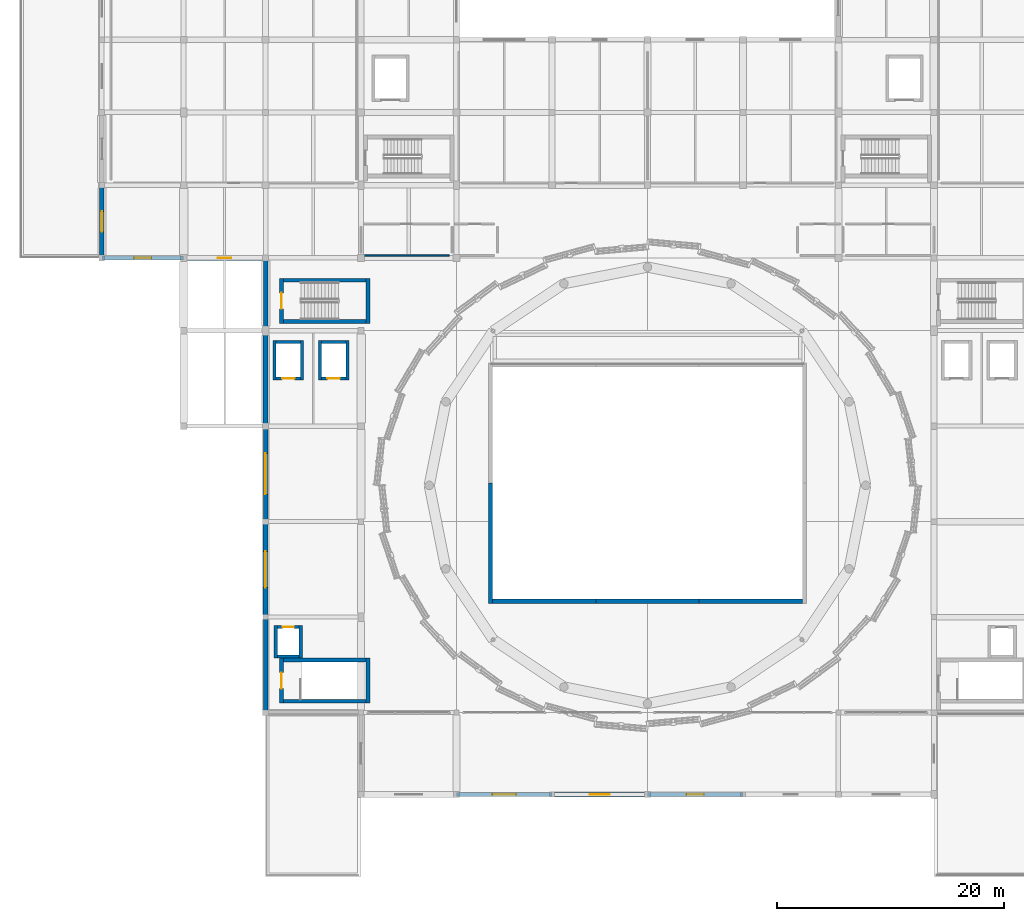
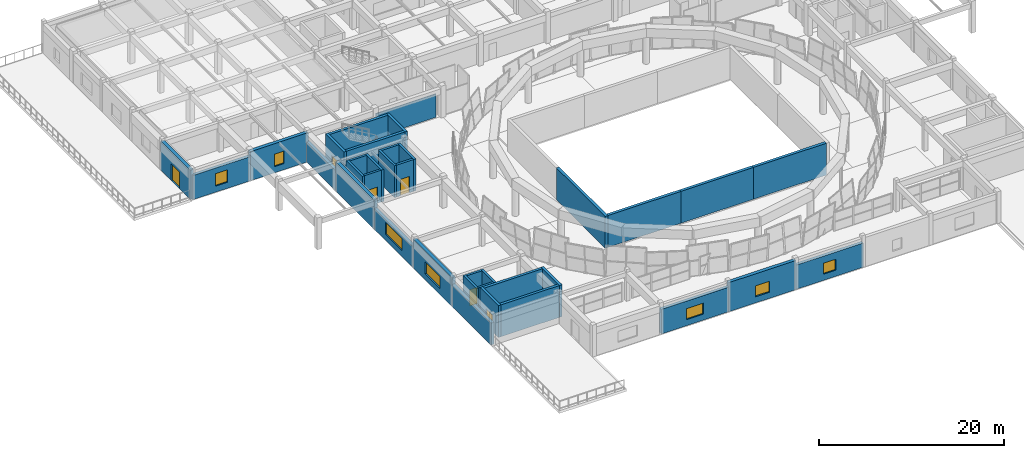
# One storey, part 28 of 40: 36 walls, 7 windows, 6 doors, 13 openings.
"""IFC4 building model written with IfcOpenShell, lengths in metres."""

from ifc_helpers import new_model, si_unit, direction, frame, frame_2d, origin, place, context, subcontext, project, spatial, rectangle, extrude, material, layer, layer_set, type_object, element, fill, save


model = new_model("IFC4")

# Units and contexts
model_context = context("Model", 3, precision=1e-05, world=origin(), true_north=direction((0.0, 1.0)))
body_context = subcontext(model_context, "Body", "Model", "MODEL_VIEW")
ifc_project = project(units=[si_unit("LENGTHUNIT", "METRE"), si_unit("AREAUNIT", "SQUARE_METRE"), si_unit("VOLUMEUNIT", "CUBIC_METRE"), si_unit("PLANEANGLEUNIT", "RADIAN"), si_unit("MASSUNIT", "GRAM", prefix="KILO")], contexts=[model_context])

# Site, building, storey
site_placement = place(None, origin())
site = spatial("IfcSite", under=ifc_project, at=site_placement, CompositionType="ELEMENT")
building_placement = place(site_placement, origin())
building = spatial("IfcBuilding", under=site, at=building_placement, Name="Korsvaeld Concert Hall", CompositionType="ELEMENT")
storey_placement = place(building_placement, frame((0.0, 0.0, 13.199951171875)))
storey = spatial("IfcBuildingStorey", under=building, at=storey_placement, Name="L03", CompositionType="ELEMENT", Elevation=13.199951171875)

# Walls
ifc_material_1 = material(Name="Concrete C40/50", Category="concrete")
ifc_layer_1 = layer(ifc_material_1, 0.340087890625)
ifc_layer_set_1 = layer_set([ifc_layer_1], Name="Concrete C40/50")
wall_type_1 = type_object("IfcWallType", Name="WL-CORE-340", PredefinedType="SHEAR", material=ifc_layer_set_1)
wall_1_placement = place(storey_placement, frame((51.969970703125, 77.60009765625, 0.0), z_axis=(0.0, 0.0, 1.0), x_axis=(1.0, 0.0, 0.0)))
element("IfcWall", 1, at=wall_1_placement, inside=storey, type_object=wall_type_1, Name="Core K1 shear wall L03 S", PredefinedType="SHEAR", context=body_context, shape_type="SweptSolid", body=[
    extrude(rectangle(XDim=7.260009765625, YDim=0.340087890625, at=frame_2d((3.6298828125, 0.0))), origin(), (0.0, 0.0, 1.0), 4.199951171875),
])
wall_2_placement = place(storey_placement, frame((59.39990234375, 77.429931640625, 0.0), z_axis=(0.0, 0.0, 1.0), x_axis=(0.0, 1.0, 0.0)))
element("IfcWall", 2, at=wall_2_placement, inside=storey, type_object=wall_type_1, Name="Core K1 shear wall L03 E", PredefinedType="SHEAR", context=body_context, shape_type="SweptSolid", body=[
    extrude(rectangle(XDim=3.97998046875, YDim=0.340087890625, at=frame_2d((1.989990234375, 0.0))), origin(), (0.0, 0.0, 1.0), 4.199951171875),
])
wall_3_placement = place(storey_placement, frame((59.22998046875, 81.239990234375, 0.0), z_axis=(0.0, 0.0, 1.0), x_axis=(-1.0, 0.0, 0.0)))
element("IfcWall", 3, at=wall_3_placement, inside=storey, type_object=wall_type_1, Name="Core K1 shear wall L03 N", PredefinedType="SHEAR", context=body_context, shape_type="SweptSolid", body=[
    extrude(rectangle(XDim=7.260009765625, YDim=0.340087890625, at=frame_2d((3.6298828125, 0.0))), origin(), (0.0, 0.0, 1.0), 4.199951171875),
])

# Wall, opening, door
wall_4_placement = place(storey_placement, frame((51.800048828125, 81.409912109375, 0.0), z_axis=(0.0, 0.0, 1.0), x_axis=(0.0, -1.0, 0.0)))
wall_4 = element("IfcWall", 4, at=wall_4_placement, inside=storey, type_object=wall_type_1, Name="Core K1 shear wall L03 W", PredefinedType="SHEAR", context=body_context, shape_type="SweptSolid", body=[
    extrude(rectangle(XDim=3.97998046875, YDim=0.340087890625, at=frame_2d((1.989990234375, 0.0))), origin(), (0.0, 0.0, 1.0), 4.199951171875),
])
opening_1_placement = place(wall_4_placement, frame((1.2900390625, 0.0, 0.0)))
opening_1 = element("IfcOpeningElement", 5, at=opening_1_placement, cuts=wall_4, Name="Opening FD-02", PredefinedType="OPENING", context=body_context, shape_type="SweptSolid", body=[
    extrude(rectangle(XDim=1.39990234375, YDim=2.14990234375, at=frame_2d((0.699951171875, 1.074951171875))), frame((0.0, 0.18017578125, 0.0), z_axis=(0.0, -1.0, 0.0), x_axis=(1.0, 0.0, 0.0)), (0.0, 0.0, 1.0), 0.360107421875),
])
ifc_material_2 = material(Name="Acoustic steel and oak fire door", Category="steel")
door_type_1 = type_object("IfcDoorType", Name="DR-FD-STAIR-140x215", OperationType="NOTDEFINED", PredefinedType="DOOR", material=ifc_material_2)
door_1_placement = place(opening_1_placement, origin())
door_1 = element("IfcDoor", 6, at=door_1_placement, inside=storey, type_object=door_type_1, Name="Escape stair ST-K1 fire door L03", OperationType="SINGLE_SWING_LEFT", OverallHeight=2.14990234375, OverallWidth=1.39990234375, PredefinedType="DOOR", context=body_context, shape_type="SweptSolid", body=[
    extrude(rectangle(XDim=1.39990234375, YDim=2.14990234375, at=frame_2d((0.699951171875, 1.074951171875))), frame((0.0, 0.02490234375, 0.0), z_axis=(0.0, -1.0, 0.0), x_axis=(1.0, 0.0, 0.0)), (0.0, 0.0, 1.0), 0.050048828125),
])
fill(opening_1, door_1)

# Walls
wall_5_placement = place(storey_placement, frame((51.969970703125, 44.199951171875, 0.0), z_axis=(0.0, 0.0, 1.0), x_axis=(1.0, 0.0, 0.0)))
element("IfcWall", 7, at=wall_5_placement, inside=storey, type_object=wall_type_1, Name="Core K3 shear wall L03 S", PredefinedType="SHEAR", context=body_context, shape_type="SweptSolid", body=[
    extrude(rectangle(XDim=7.260009765625, YDim=0.340087890625, at=frame_2d((3.6298828125, 0.0))), origin(), (0.0, 0.0, 1.0), 4.199951171875),
])
wall_6_placement = place(storey_placement, frame((59.39990234375, 44.030029296875, 0.0), z_axis=(0.0, 0.0, 1.0), x_axis=(0.0, 1.0, 0.0)))
element("IfcWall", 8, at=wall_6_placement, inside=storey, type_object=wall_type_1, Name="Core K3 shear wall L03 E", PredefinedType="SHEAR", context=body_context, shape_type="SweptSolid", body=[
    extrude(rectangle(XDim=3.97998046875, YDim=0.340087890625, at=frame_2d((1.989990234375, 0.0))), origin(), (0.0, 0.0, 1.0), 4.199951171875),
])
wall_7_placement = place(storey_placement, frame((59.22998046875, 47.840087890625, 0.0), z_axis=(0.0, 0.0, 1.0), x_axis=(-1.0, 0.0, 0.0)))
element("IfcWall", 9, at=wall_7_placement, inside=storey, type_object=wall_type_1, Name="Core K3 shear wall L03 N", PredefinedType="SHEAR", context=body_context, shape_type="SweptSolid", body=[
    extrude(rectangle(XDim=7.260009765625, YDim=0.340087890625, at=frame_2d((3.6298828125, 0.0))), origin(), (0.0, 0.0, 1.0), 4.199951171875),
])

# Wall, opening, door
wall_8_placement = place(storey_placement, frame((51.800048828125, 48.010009765625, 0.0), z_axis=(0.0, 0.0, 1.0), x_axis=(0.0, -1.0, 0.0)))
wall_8 = element("IfcWall", 10, at=wall_8_placement, inside=storey, type_object=wall_type_1, Name="Core K3 shear wall L03 W", PredefinedType="SHEAR", context=body_context, shape_type="SweptSolid", body=[
    extrude(rectangle(XDim=3.97998046875, YDim=0.340087890625, at=frame_2d((1.989990234375, 0.0))), origin(), (0.0, 0.0, 1.0), 4.199951171875),
])
opening_2_placement = place(wall_8_placement, frame((1.2900390625, 0.0, 0.0)))
opening_2 = element("IfcOpeningElement", 11, at=opening_2_placement, cuts=wall_8, Name="Opening FD-02", PredefinedType="OPENING", context=body_context, shape_type="SweptSolid", body=[
    extrude(rectangle(XDim=1.39990234375, YDim=2.14990234375, at=frame_2d((0.699951171875, 1.074951171875))), frame((0.0, 0.18017578125, 0.0), z_axis=(0.0, -1.0, 0.0), x_axis=(1.0, 0.0, 0.0)), (0.0, 0.0, 1.0), 0.360107421875),
])
door_2_placement = place(opening_2_placement, origin())
door_2 = element("IfcDoor", 12, at=door_2_placement, inside=storey, type_object=door_type_1, Name="Escape stair ST-K3 fire door L03", OperationType="SINGLE_SWING_LEFT", OverallHeight=2.14990234375, OverallWidth=1.39990234375, PredefinedType="DOOR", context=body_context, shape_type="SweptSolid", body=[
    extrude(rectangle(XDim=1.39990234375, YDim=2.14990234375, at=frame_2d((0.699951171875, 1.074951171875))), frame((0.0, 0.02490234375, 0.0), z_axis=(0.0, -1.0, 0.0), x_axis=(1.0, 0.0, 0.0)), (0.0, 0.0, 1.0), 0.050048828125),
])
fill(opening_2, door_2)

# Wall
ifc_material_3 = material(Name="Obernkirchener buff sandstone rainscreen on Concrete C35/45", Category="masonry")
ifc_layer_2 = layer(ifc_material_3, 0.389892578125)
ifc_layer_set_2 = layer_set([ifc_layer_2], Name="Obernkirchener buff sandstone rainscreen on Concrete C35/45")
wall_type_2 = type_object("IfcWallType", Name="WL-EXT-BUFF-390", PredefinedType="STANDARD", material=ifc_layer_set_2)
wall_9_placement = place(storey_placement, frame((50.39990234375, 43.199951171875, 0.0), z_axis=(0.0, 0.0, 1.0), x_axis=(0.0, 1.0, 0.0)))
element("IfcWall", 13, at=wall_9_placement, inside=storey, type_object=wall_type_2, Name="Exterior sandstone wall L03-285", PredefinedType="STANDARD", context=body_context, shape_type="SweptSolid", body=[
    extrude(rectangle(XDim=8.400146484375, YDim=0.389892578125, at=frame_2d((4.2001953125, 0.0))), origin(), (0.0, 0.0, 1.0), 2.89013671875),
])

# Wall, opening, window
wall_10_placement = place(storey_placement, frame((50.39990234375, 60.0, 0.0), z_axis=(0.0, 0.0, 1.0), x_axis=(0.0, 1.0, 0.0)))
wall_10 = element("IfcWall", 14, at=wall_10_placement, inside=storey, type_object=wall_type_2, Name="Exterior sandstone wall L03-287", PredefinedType="STANDARD", context=body_context, shape_type="SweptSolid", body=[
    extrude(rectangle(XDim=8.39990234375, YDim=0.389892578125, at=frame_2d((4.199951171875, 0.0))), origin(), (0.0, 0.0, 1.0), 2.739990234375),
])
opening_3_placement = place(wall_10_placement, frame((2.39990234375, 0.0, 0.800048828125)))
opening_3 = element("IfcOpeningElement", 15, at=opening_3_placement, cuts=wall_10, Name="Opening WN-16", PredefinedType="OPENING", context=body_context, shape_type="SweptSolid", body=[
    extrude(rectangle(XDim=3.60009765625, YDim=1.60009765625, at=frame_2d((1.800048828125, 0.800048828125))), frame((0.0, 0.205078125, 0.0), z_axis=(0.0, -1.0, 0.0), x_axis=(1.0, 0.0, 0.0)), (0.0, 0.0, 1.0), 0.409912109375),
])
ifc_material_4 = material(Name="Anodised bronze frame with acoustic triple glazing", Category="glass")
window_type_1 = type_object("IfcWindowType", Name="WIN-AC-360x160", PartitioningType="TRIPLE_PANEL_VERTICAL", PredefinedType="WINDOW", material=ifc_material_4)
window_1_placement = place(opening_3_placement, origin())
window_1 = element("IfcWindow", 16, at=window_1_placement, inside=storey, type_object=window_type_1, Name="Acoustic triple-glazed window L03-185", OverallHeight=1.60009765625, OverallWidth=3.60009765625, PartitioningType="TRIPLE_PANEL_VERTICAL", PredefinedType="WINDOW", context=body_context, shape_type="SweptSolid", body=[
    extrude(rectangle(XDim=3.60009765625, YDim=1.60009765625, at=frame_2d((1.800048828125, 0.800048828125))), frame((0.0, 0.030029296875, 0.0), z_axis=(0.0, -1.0, 0.0), x_axis=(1.0, 0.0, 0.0)), (0.0, 0.0, 1.0), 0.06005859375),
])
fill(opening_3, window_1)

# Wall
wall_11_placement = place(storey_placement, frame((50.39990234375, 76.800048828125, 0.0), z_axis=(0.0, 0.0, 1.0), x_axis=(0.0, 1.0, 0.0)))
element("IfcWall", 17, at=wall_11_placement, inside=storey, type_object=wall_type_2, Name="Exterior sandstone wall L03-289", PredefinedType="STANDARD", context=body_context, shape_type="SweptSolid", body=[
    extrude(rectangle(XDim=6.39990234375, YDim=0.389892578125, at=frame_2d((3.199951171875, 0.0))), origin(), (0.0, 0.0, 1.0), 2.64013671875),
])

# Wall, opening, window
wall_12_placement = place(storey_placement, frame((43.199951171875, 83.199951171875, 0.0), z_axis=(0.0, 0.0, 1.0), x_axis=(-1.0, 0.0, 0.0)))
wall_12 = element("IfcWall", 18, at=wall_12_placement, inside=storey, type_object=wall_type_2, Name="Exterior sandstone wall L03-291", PredefinedType="STANDARD", context=body_context, shape_type="SweptSolid", body=[
    extrude(rectangle(XDim=7.199951171875, YDim=0.389892578125, at=frame_2d((3.60009765625, 0.0))), origin(), (0.0, 0.0, 1.0), 3.18994140625),
])
opening_4_placement = place(wall_12_placement, frame((2.85009765625, 0.0, 0.800048828125)))
opening_4 = element("IfcOpeningElement", 19, at=opening_4_placement, cuts=wall_12, Name="Opening WN-02", PredefinedType="OPENING", context=body_context, shape_type="SweptSolid", body=[
    extrude(rectangle(XDim=1.5, YDim=1.64990234375, at=frame_2d((0.75, 0.824951171875))), frame((0.0, 0.205078125, 0.0), z_axis=(0.0, -1.0, 0.0), x_axis=(1.0, 0.0, 0.0)), (0.0, 0.0, 1.0), 0.409912109375),
])
window_type_2 = type_object("IfcWindowType", Name="WIN-AC-150x165", PartitioningType="SINGLE_PANEL", PredefinedType="WINDOW", material=ifc_material_4)
window_2_placement = place(opening_4_placement, origin())
window_2 = element("IfcWindow", 20, at=window_2_placement, inside=storey, type_object=window_type_2, Name="Acoustic triple-glazed window L03-187", OverallHeight=1.64990234375, OverallWidth=1.5, PartitioningType="SINGLE_PANEL", PredefinedType="WINDOW", context=body_context, shape_type="SweptSolid", body=[
    extrude(rectangle(XDim=1.5, YDim=1.64990234375, at=frame_2d((0.75, 0.824951171875))), frame((0.0, 0.030029296875, 0.0), z_axis=(0.0, -1.0, 0.0), x_axis=(1.0, 0.0, 0.0)), (0.0, 0.0, 1.0), 0.06005859375),
])
fill(opening_4, window_2)

wall_13_placement = place(storey_placement, frame((92.39990234375, 36.0, 0.0), z_axis=(0.0, 0.0, 1.0), x_axis=(-1.0, 0.0, 0.0)))
wall_13 = element("IfcWall", 21, at=wall_13_placement, inside=storey, type_object=wall_type_2, Name="Exterior sandstone wall L03-329", PredefinedType="STANDARD", context=body_context, shape_type="SweptSolid", body=[
    extrude(rectangle(XDim=8.39990234375, YDim=0.389892578125, at=frame_2d((4.199951171875, 0.0))), origin(), (0.0, 0.0, 1.0), 3.18994140625),
])
opening_5_placement = place(wall_13_placement, frame((3.449951171875, 0.0, 0.800048828125)))
opening_5 = element("IfcOpeningElement", 22, at=opening_5_placement, cuts=wall_13, Name="Opening WN-07", PredefinedType="OPENING", context=body_context, shape_type="SweptSolid", body=[
    extrude(rectangle(XDim=1.5, YDim=1.449951171875, at=frame_2d((0.75, 0.72509765625))), frame((0.0, 0.205078125, 0.0), z_axis=(0.0, -1.0, 0.0), x_axis=(1.0, 0.0, 0.0)), (0.0, 0.0, 1.0), 0.409912109375),
])
window_type_3 = type_object("IfcWindowType", Name="WIN-AC-150x145", PartitioningType="SINGLE_PANEL", PredefinedType="WINDOW", material=ifc_material_4)
window_3_placement = place(opening_5_placement, origin())
window_3 = element("IfcWindow", 23, at=window_3_placement, inside=storey, type_object=window_type_3, Name="Acoustic triple-glazed window L03-218", OverallHeight=1.449951171875, OverallWidth=1.5, PartitioningType="SINGLE_PANEL", PredefinedType="WINDOW", context=body_context, shape_type="SweptSolid", body=[
    extrude(rectangle(XDim=1.5, YDim=1.449951171875, at=frame_2d((0.75, 0.72509765625))), frame((0.0, 0.030029296875, 0.0), z_axis=(0.0, -1.0, 0.0), x_axis=(1.0, 0.0, 0.0)), (0.0, 0.0, 1.0), 0.06005859375),
])
fill(opening_5, window_3)

wall_14_placement = place(storey_placement, frame((75.60009765625, 36.0, 0.0), z_axis=(0.0, 0.0, 1.0), x_axis=(-1.0, 0.0, 0.0)))
wall_14 = element("IfcWall", 24, at=wall_14_placement, inside=storey, type_object=wall_type_2, Name="Exterior sandstone wall L03-331", PredefinedType="STANDARD", context=body_context, shape_type="SweptSolid", body=[
    extrude(rectangle(XDim=8.400146484375, YDim=0.389892578125, at=frame_2d((4.2001953125, 0.0))), origin(), (0.0, 0.0, 1.0), 3.239990234375),
])
opening_6_placement = place(wall_14_placement, frame((3.14990234375, 0.0, 0.800048828125)))
opening_6 = element("IfcOpeningElement", 25, at=opening_6_placement, cuts=wall_14, Name="Opening WN-09", PredefinedType="OPENING", context=body_context, shape_type="SweptSolid", body=[
    extrude(rectangle(XDim=2.10009765625, YDim=1.449951171875, at=frame_2d((1.050048828125, 0.72509765625))), frame((0.0, 0.205078125, 0.0), z_axis=(0.0, -1.0, 0.0), x_axis=(1.0, 0.0, 0.0)), (0.0, 0.0, 1.0), 0.409912109375),
])
window_type_4 = type_object("IfcWindowType", Name="WIN-AC-210x145", PartitioningType="SINGLE_PANEL", PredefinedType="WINDOW", material=ifc_material_4)
window_4_placement = place(opening_6_placement, origin())
window_4 = element("IfcWindow", 26, at=window_4_placement, inside=storey, type_object=window_type_4, Name="Acoustic triple-glazed window L03-220", OverallHeight=1.449951171875, OverallWidth=2.10009765625, PartitioningType="SINGLE_PANEL", PredefinedType="WINDOW", context=body_context, shape_type="SweptSolid", body=[
    extrude(rectangle(XDim=2.10009765625, YDim=1.449951171875, at=frame_2d((1.050048828125, 0.72509765625))), frame((0.0, 0.030029296875, 0.0), z_axis=(0.0, -1.0, 0.0), x_axis=(1.0, 0.0, 0.0)), (0.0, 0.0, 1.0), 0.06005859375),
])
fill(opening_6, window_4)

ifc_material_5 = material(Name="Bornholm Nexo rose-red sandstone rainscreen on Concrete C35/45", Category="masonry")
ifc_layer_3 = layer(ifc_material_5, 0.419921875)
ifc_layer_set_3 = layer_set([ifc_layer_3], Name="Bornholm Nexo rose-red sandstone rainscreen on Concrete C35/45")
wall_type_3 = type_object("IfcWallType", Name="WL-EXT-NEXO-420", PredefinedType="STANDARD", material=ifc_layer_set_3)
wall_15_placement = place(storey_placement, frame((50.39990234375, 51.60009765625, 0.0), z_axis=(0.0, 0.0, 1.0), x_axis=(0.0, 1.0, 0.0)))
wall_15 = element("IfcWall", 27, at=wall_15_placement, inside=storey, type_object=wall_type_3, Name="Exterior sandstone wall L03-286", PredefinedType="STANDARD", context=body_context, shape_type="SweptSolid", body=[
    extrude(rectangle(XDim=8.39990234375, YDim=0.419921875, at=frame_2d((4.199951171875, 0.0))), origin(), (0.0, 0.0, 1.0), 3.840087890625),
])
opening_7_placement = place(wall_15_placement, frame((2.60009765625, 0.0, 0.800048828125)))
opening_7 = element("IfcOpeningElement", 28, at=opening_7_placement, cuts=wall_15, Name="Opening WN-15", PredefinedType="OPENING", context=body_context, shape_type="SweptSolid", body=[
    extrude(rectangle(XDim=3.199951171875, YDim=1.60009765625, at=frame_2d((1.60009765625, 0.800048828125))), frame((0.0, 0.219970703125, 0.0), z_axis=(0.0, -1.0, 0.0), x_axis=(1.0, 0.0, 0.0)), (0.0, 0.0, 1.0), 0.43994140625),
])
window_type_5 = type_object("IfcWindowType", Name="WIN-AC-320x160", PartitioningType="TRIPLE_PANEL_VERTICAL", PredefinedType="WINDOW", material=ifc_material_4)
window_5_placement = place(opening_7_placement, origin())
window_5 = element("IfcWindow", 29, at=window_5_placement, inside=storey, type_object=window_type_5, Name="Acoustic triple-glazed window L03-184", OverallHeight=1.60009765625, OverallWidth=3.199951171875, PartitioningType="TRIPLE_PANEL_VERTICAL", PredefinedType="WINDOW", context=body_context, shape_type="SweptSolid", body=[
    extrude(rectangle(XDim=3.199951171875, YDim=1.60009765625, at=frame_2d((1.60009765625, 0.800048828125))), frame((0.0, 0.030029296875, 0.0), z_axis=(0.0, -1.0, 0.0), x_axis=(1.0, 0.0, 0.0)), (0.0, 0.0, 1.0), 0.06005859375),
])
fill(opening_7, window_5)

# Wall
wall_16_placement = place(storey_placement, frame((50.39990234375, 68.39990234375, 0.0), z_axis=(0.0, 0.0, 1.0), x_axis=(0.0, 1.0, 0.0)))
element("IfcWall", 30, at=wall_16_placement, inside=storey, type_object=wall_type_3, Name="Exterior sandstone wall L03-288", PredefinedType="STANDARD", context=body_context, shape_type="SweptSolid", body=[
    extrude(rectangle(XDim=8.400146484375, YDim=0.419921875, at=frame_2d((4.2001953125, 0.0))), origin(), (0.0, 0.0, 1.0), 3.840087890625),
])

# Wall, opening, window
wall_17_placement = place(storey_placement, frame((50.39990234375, 83.199951171875, 0.0), z_axis=(0.0, 0.0, 1.0), x_axis=(-1.0, 0.0, 0.0)))
wall_17 = element("IfcWall", 31, at=wall_17_placement, inside=storey, type_object=wall_type_3, Name="Exterior sandstone wall L03-290", PredefinedType="STANDARD", context=body_context, shape_type="SweptSolid", body=[
    extrude(rectangle(XDim=7.199951171875, YDim=0.419921875, at=frame_2d((3.60009765625, 0.0))), origin(), (0.0, 0.0, 1.0), 3.840087890625),
])
opening_8_placement = place(wall_17_placement, frame((3.0, 0.0, 0.800048828125)))
opening_8 = element("IfcOpeningElement", 32, at=opening_8_placement, cuts=wall_17, Name="Opening WN-01", PredefinedType="OPENING", context=body_context, shape_type="SweptSolid", body=[
    extrude(rectangle(XDim=1.199951171875, YDim=1.64990234375, at=frame_2d((0.60009765625, 0.824951171875))), frame((0.0, 0.219970703125, 0.0), z_axis=(0.0, -1.0, 0.0), x_axis=(1.0, 0.0, 0.0)), (0.0, 0.0, 1.0), 0.43994140625),
])
window_type_6 = type_object("IfcWindowType", Name="WIN-AC-120x165", PartitioningType="SINGLE_PANEL", PredefinedType="WINDOW", material=ifc_material_4)
window_6_placement = place(opening_8_placement, origin())
window_6 = element("IfcWindow", 33, at=window_6_placement, inside=storey, type_object=window_type_6, Name="Acoustic triple-glazed window L03-186", OverallHeight=1.64990234375, OverallWidth=1.199951171875, PartitioningType="SINGLE_PANEL", PredefinedType="WINDOW", context=body_context, shape_type="SweptSolid", body=[
    extrude(rectangle(XDim=1.199951171875, YDim=1.64990234375, at=frame_2d((0.60009765625, 0.824951171875))), frame((0.0, 0.030029296875, 0.0), z_axis=(0.0, -1.0, 0.0), x_axis=(1.0, 0.0, 0.0)), (0.0, 0.0, 1.0), 0.06005859375),
])
fill(opening_8, window_6)

# Wall, opening, door
wall_18_placement = place(storey_placement, frame((36.0, 83.199951171875, 0.0), z_axis=(0.0, 0.0, 1.0), x_axis=(0.0, 1.0, 0.0)))
wall_18 = element("IfcWall", 34, at=wall_18_placement, inside=storey, type_object=wall_type_3, Name="Exterior sandstone wall L03-292", PredefinedType="STANDARD", context=body_context, shape_type="SweptSolid", body=[
    extrude(rectangle(XDim=6.400146484375, YDim=0.419921875, at=frame_2d((3.2001953125, 0.0))), origin(), (0.0, 0.0, 1.0), 3.840087890625),
])
opening_9_placement = place(wall_18_placement, frame((2.300048828125, 0.0, 0.0)))
opening_9 = element("IfcOpeningElement", 35, at=opening_9_placement, cuts=wall_18, Name="Opening TD-01", PredefinedType="OPENING", context=body_context, shape_type="SweptSolid", body=[
    extrude(rectangle(XDim=1.800048828125, YDim=2.199951171875, at=frame_2d((0.89990234375, 1.10009765625))), frame((0.0, 0.219970703125, 0.0), z_axis=(0.0, -1.0, 0.0), x_axis=(1.0, 0.0, 0.0)), (0.0, 0.0, 1.0), 0.43994140625),
])
ifc_material_6 = material(Name="Anodised bronze terrace door")
door_type_2 = type_object("IfcDoorType", Name="DR-TER-180x220", OperationType="DOUBLE_DOOR_SINGLE_SWING", PredefinedType="DOOR", material=ifc_material_6)
door_3_placement = place(opening_9_placement, frame((1.800048828125, 0.0, 0.0), z_axis=(0.0, 0.0, 1.0), x_axis=(-1.0, 0.0, 0.0)))
door_3 = element("IfcDoor", 36, at=door_3_placement, inside=storey, type_object=door_type_2, Name="Roof-garden terrace access door TER_L03_NW", OperationType="DOUBLE_DOOR_SINGLE_SWING", OverallHeight=2.199951171875, OverallWidth=1.800048828125, PredefinedType="DOOR", context=body_context, shape_type="SweptSolid", body=[
    extrude(rectangle(XDim=1.800048828125, YDim=2.199951171875, at=frame_2d((0.89990234375, 1.10009765625))), frame((0.0, 0.02490234375, 0.0), z_axis=(0.0, -1.0, 0.0), x_axis=(1.0, 0.0, 0.0)), (0.0, 0.0, 1.0), 0.050048828125),
])
fill(opening_9, door_3)

# Wall, opening, window
wall_19_placement = place(storey_placement, frame((84.0, 36.0, 0.0), z_axis=(0.0, 0.0, 1.0), x_axis=(-1.0, 0.0, 0.0)))
wall_19 = element("IfcWall", 37, at=wall_19_placement, inside=storey, type_object=wall_type_3, Name="Exterior sandstone wall L03-330", PredefinedType="STANDARD", context=body_context, shape_type="SweptSolid", body=[
    extrude(rectangle(XDim=8.39990234375, YDim=0.419921875, at=frame_2d((4.199951171875, 0.0))), origin(), (0.0, 0.0, 1.0), 3.840087890625),
])
opening_10_placement = place(wall_19_placement, frame((3.300048828125, 0.0, 0.800048828125)))
opening_10 = element("IfcOpeningElement", 38, at=opening_10_placement, cuts=wall_19, Name="Opening WN-08", PredefinedType="OPENING", context=body_context, shape_type="SweptSolid", body=[
    extrude(rectangle(XDim=1.800048828125, YDim=1.449951171875, at=frame_2d((0.89990234375, 0.72509765625))), frame((0.0, 0.219970703125, 0.0), z_axis=(0.0, -1.0, 0.0), x_axis=(1.0, 0.0, 0.0)), (0.0, 0.0, 1.0), 0.43994140625),
])
window_type_7 = type_object("IfcWindowType", Name="WIN-AC-180x145", PartitioningType="SINGLE_PANEL", PredefinedType="WINDOW", material=ifc_material_4)
window_7_placement = place(opening_10_placement, origin())
window_7 = element("IfcWindow", 39, at=window_7_placement, inside=storey, type_object=window_type_7, Name="Acoustic triple-glazed window L03-219", OverallHeight=1.449951171875, OverallWidth=1.800048828125, PartitioningType="SINGLE_PANEL", PredefinedType="WINDOW", context=body_context, shape_type="SweptSolid", body=[
    extrude(rectangle(XDim=1.800048828125, YDim=1.449951171875, at=frame_2d((0.89990234375, 0.72509765625))), frame((0.0, 0.030029296875, 0.0), z_axis=(0.0, -1.0, 0.0), x_axis=(1.0, 0.0, 0.0)), (0.0, 0.0, 1.0), 0.06005859375),
])
fill(opening_10, window_7)

# Walls
ifc_material_7 = material(Name="Bornholm Nexo crimson sandstone on Concrete C40/50", Category="masonry")
ifc_layer_4 = layer(ifc_material_7, 0.360107421875)
ifc_layer_set_4 = layer_set([ifc_layer_4], Name="Bornholm Nexo crimson sandstone on Concrete C40/50")
wall_type_4 = type_object("IfcWallType", Name="WL-HALL-360", PredefinedType="SHEAR", material=ifc_layer_set_4)
for number, where, z_axis, x_axis, name in (
    (40, (70.3798828125, 53.0, 0.0), (0.0, 0.0, 1.0), (1.0, 0.0, 0.0), "Acoustic hall box wall V1H L03 S.1"),
    (41, (79.4599609375, 53.0, 0.0), (0.0, 0.0, 1.0), (1.0, 0.0, 0.0), "Acoustic hall box wall V1H L03 S.2"),
    (42, (88.5400390625, 53.0, 0.0), (0.0, 0.0, 1.0), (1.0, 0.0, 0.0), "Acoustic hall box wall V1H L03 S.3"),
):
    element("IfcWall", number, at=place(storey_placement, frame(where, z_axis=z_axis, x_axis=x_axis)), inside=storey, type_object=wall_type_4, Name=name, PredefinedType="SHEAR", context=body_context, shape_type="SweptSolid", body=[
        extrude(rectangle(XDim=9.080078125, YDim=0.360107421875, at=frame_2d((4.5400390625, 0.0))), origin(), (0.0, 0.0, 1.0), 4.199951171875),
    ])
wall_20_placement = place(storey_placement, frame((70.199951171875, 63.39990234375, 0.0), z_axis=(0.0, 0.0, 1.0), x_axis=(0.0, -1.0, 0.0)))
element("IfcWall", 43, at=wall_20_placement, inside=storey, type_object=wall_type_4, Name="Acoustic hall box wall V1H L03 W.2", PredefinedType="SHEAR", context=body_context, shape_type="SweptSolid", body=[
    extrude(rectangle(XDim=10.579833984375, YDim=0.360107421875, at=frame_2d((5.2900390625, 0.0))), origin(), (0.0, 0.0, 1.0), 4.199951171875),
])
ifc_material_8 = material(Name="Insulated acoustic gypsum partition")
ifc_layer_5 = layer(ifc_material_8, 0.125)
ifc_layer_set_5 = layer_set([ifc_layer_5], Name="Insulated acoustic gypsum partition")
wall_type_5 = type_object("IfcWallType", Name="WL-PART-125", PredefinedType="PARTITIONING", material=ifc_layer_set_5)
wall_21_placement = place(storey_placement, frame((59.06005859375, 83.39990234375, 0.0), z_axis=(0.0, 0.0, 1.0), x_axis=(1.0, 0.0, 0.0)))
element("IfcWall", 44, at=wall_21_placement, inside=storey, type_object=wall_type_5, Name="Interior partition L03-13 S", PredefinedType="PARTITIONING", context=body_context, shape_type="SweptSolid", body=[
    extrude(rectangle(XDim=7.47998046875, YDim=0.125, at=frame_2d((3.739990234375, 0.0))), origin(), (0.0, 0.0, 1.0), 3.06494140625),
])

# Wall, opening, door
ifc_layer_6 = layer(ifc_material_1, 0.280029296875)
ifc_layer_set_6 = layer_set([ifc_layer_6], Name="Concrete C40/50")
wall_type_6 = type_object("IfcWallType", Name="WL-SHAFT-280", PredefinedType="SHEAR", material=ifc_layer_set_6)
wall_22_placement = place(storey_placement, frame((51.340087890625, 72.60009765625, 0.0), z_axis=(0.0, 0.0, 1.0), x_axis=(1.0, 0.0, 0.0)))
wall_22 = element("IfcWall", 45, at=wall_22_placement, inside=storey, type_object=wall_type_6, Name="Lift LP-01 shaft wall L03 S", PredefinedType="SHEAR", context=body_context, shape_type="SweptSolid", body=[
    extrude(rectangle(XDim=2.119873046875, YDim=0.280029296875, at=frame_2d((1.06005859375, 0.0))), origin(), (0.0, 0.0, 1.0), 4.199951171875),
])
opening_11_placement = place(wall_22_placement, frame((0.510009765625, 0.0, 0.0)))
opening_11 = element("IfcOpeningElement", 46, at=opening_11_placement, cuts=wall_22, Name="Opening LD-01", PredefinedType="OPENING", context=body_context, shape_type="SweptSolid", body=[
    extrude(rectangle(XDim=1.10009765625, YDim=2.14990234375, at=frame_2d((0.550048828125, 1.074951171875))), frame((0.0, 0.14990234375, 0.0), z_axis=(0.0, -1.0, 0.0), x_axis=(1.0, 0.0, 0.0)), (0.0, 0.0, 1.0), 0.300048828125),
])
ifc_material_9 = material(Name="Brushed bronze-stainless sliding lift landing door")
door_type_3 = type_object("IfcDoorType", Name="DR-LD-PASS-110x215", OperationType="NOTDEFINED", PredefinedType="DOOR", material=ifc_material_9)
door_4_placement = place(opening_11_placement, origin())
door_4 = element("IfcDoor", 47, at=door_4_placement, inside=storey, type_object=door_type_3, Name="Lift landing door LP-01 L03", OperationType="SLIDING_TO_LEFT", OverallHeight=2.14990234375, OverallWidth=1.10009765625, PredefinedType="DOOR", context=body_context, shape_type="SweptSolid", body=[
    extrude(rectangle(XDim=1.10009765625, YDim=2.14990234375, at=frame_2d((0.550048828125, 1.074951171875))), frame((0.0, 0.02490234375, 0.0), z_axis=(0.0, -1.0, 0.0), x_axis=(1.0, 0.0, 0.0)), (0.0, 0.0, 1.0), 0.050048828125),
])
fill(opening_11, door_4)

# Walls
wall_23_placement = place(storey_placement, frame((53.60009765625, 72.4599609375, 0.0), z_axis=(0.0, 0.0, 1.0), x_axis=(0.0, 1.0, 0.0)))
element("IfcWall", 48, at=wall_23_placement, inside=storey, type_object=wall_type_6, Name="Lift LP-01 shaft wall L03 E", PredefinedType="SHEAR", context=body_context, shape_type="SweptSolid", body=[
    extrude(rectangle(XDim=3.47998046875, YDim=0.280029296875, at=frame_2d((1.739990234375, 0.0))), origin(), (0.0, 0.0, 1.0), 4.199951171875),
])
wall_24_placement = place(storey_placement, frame((53.4599609375, 75.800048828125, 0.0), z_axis=(0.0, 0.0, 1.0), x_axis=(-1.0, 0.0, 0.0)))
element("IfcWall", 49, at=wall_24_placement, inside=storey, type_object=wall_type_6, Name="Lift LP-01 shaft wall L03 N", PredefinedType="SHEAR", context=body_context, shape_type="SweptSolid", body=[
    extrude(rectangle(XDim=2.119873046875, YDim=0.280029296875, at=frame_2d((1.06005859375, 0.0))), origin(), (0.0, 0.0, 1.0), 4.199951171875),
])
wall_25_placement = place(storey_placement, frame((51.199951171875, 75.93994140625, 0.0), z_axis=(0.0, 0.0, 1.0), x_axis=(0.0, -1.0, 0.0)))
element("IfcWall", 50, at=wall_25_placement, inside=storey, type_object=wall_type_6, Name="Lift LP-01 shaft wall L03 W", PredefinedType="SHEAR", context=body_context, shape_type="SweptSolid", body=[
    extrude(rectangle(XDim=3.47998046875, YDim=0.280029296875, at=frame_2d((1.739990234375, 0.0))), origin(), (0.0, 0.0, 1.0), 4.199951171875),
])

# Wall, opening, door
wall_26_placement = place(storey_placement, frame((55.340087890625, 72.60009765625, 0.0), z_axis=(0.0, 0.0, 1.0), x_axis=(1.0, 0.0, 0.0)))
wall_26 = element("IfcWall", 51, at=wall_26_placement, inside=storey, type_object=wall_type_6, Name="Lift LP-02 shaft wall L03 S", PredefinedType="SHEAR", context=body_context, shape_type="SweptSolid", body=[
    extrude(rectangle(XDim=2.119873046875, YDim=0.280029296875, at=frame_2d((1.06005859375, 0.0))), origin(), (0.0, 0.0, 1.0), 4.199951171875),
])
opening_12_placement = place(wall_26_placement, frame((0.510009765625, 0.0, 0.0)))
opening_12 = element("IfcOpeningElement", 52, at=opening_12_placement, cuts=wall_26, Name="Opening LD-01", PredefinedType="OPENING", context=body_context, shape_type="SweptSolid", body=[
    extrude(rectangle(XDim=1.10009765625, YDim=2.14990234375, at=frame_2d((0.550048828125, 1.074951171875))), frame((0.0, 0.14990234375, 0.0), z_axis=(0.0, -1.0, 0.0), x_axis=(1.0, 0.0, 0.0)), (0.0, 0.0, 1.0), 0.300048828125),
])
door_5_placement = place(opening_12_placement, origin())
door_5 = element("IfcDoor", 53, at=door_5_placement, inside=storey, type_object=door_type_3, Name="Lift landing door LP-02 L03", OperationType="SLIDING_TO_RIGHT", OverallHeight=2.14990234375, OverallWidth=1.10009765625, PredefinedType="DOOR", context=body_context, shape_type="SweptSolid", body=[
    extrude(rectangle(XDim=1.10009765625, YDim=2.14990234375, at=frame_2d((0.550048828125, 1.074951171875))), frame((0.0, 0.02490234375, 0.0), z_axis=(0.0, -1.0, 0.0), x_axis=(1.0, 0.0, 0.0)), (0.0, 0.0, 1.0), 0.050048828125),
])
fill(opening_12, door_5)

# Walls
wall_27_placement = place(storey_placement, frame((57.60009765625, 72.4599609375, 0.0), z_axis=(0.0, 0.0, 1.0), x_axis=(0.0, 1.0, 0.0)))
element("IfcWall", 54, at=wall_27_placement, inside=storey, type_object=wall_type_6, Name="Lift LP-02 shaft wall L03 E", PredefinedType="SHEAR", context=body_context, shape_type="SweptSolid", body=[
    extrude(rectangle(XDim=3.47998046875, YDim=0.280029296875, at=frame_2d((1.739990234375, 0.0))), origin(), (0.0, 0.0, 1.0), 4.199951171875),
])
wall_28_placement = place(storey_placement, frame((57.4599609375, 75.800048828125, 0.0), z_axis=(0.0, 0.0, 1.0), x_axis=(-1.0, 0.0, 0.0)))
element("IfcWall", 55, at=wall_28_placement, inside=storey, type_object=wall_type_6, Name="Lift LP-02 shaft wall L03 N", PredefinedType="SHEAR", context=body_context, shape_type="SweptSolid", body=[
    extrude(rectangle(XDim=2.119873046875, YDim=0.280029296875, at=frame_2d((1.06005859375, 0.0))), origin(), (0.0, 0.0, 1.0), 4.199951171875),
])
wall_29_placement = place(storey_placement, frame((55.199951171875, 75.93994140625, 0.0), z_axis=(0.0, 0.0, 1.0), x_axis=(0.0, -1.0, 0.0)))
element("IfcWall", 56, at=wall_29_placement, inside=storey, type_object=wall_type_6, Name="Lift LP-02 shaft wall L03 W", PredefinedType="SHEAR", context=body_context, shape_type="SweptSolid", body=[
    extrude(rectangle(XDim=3.47998046875, YDim=0.280029296875, at=frame_2d((1.739990234375, 0.0))), origin(), (0.0, 0.0, 1.0), 4.199951171875),
])
wall_30_placement = place(storey_placement, frame((51.43994140625, 48.14990234375, 0.0), z_axis=(0.0, 0.0, 1.0), x_axis=(1.0, 0.0, 0.0)))
element("IfcWall", 57, at=wall_30_placement, inside=storey, type_object=wall_type_6, Name="Lift LP-05 shaft wall L03 S", PredefinedType="SHEAR", context=body_context, shape_type="SweptSolid", body=[
    extrude(rectangle(XDim=1.920166015625, YDim=0.280029296875, at=frame_2d((0.9599609375, 0.0))), origin(), (0.0, 0.0, 1.0), 4.199951171875),
])
wall_31_placement = place(storey_placement, frame((53.5, 48.010009765625, 0.0), z_axis=(0.0, 0.0, 1.0), x_axis=(0.0, 1.0, 0.0)))
element("IfcWall", 58, at=wall_31_placement, inside=storey, type_object=wall_type_6, Name="Lift LP-05 shaft wall L03 E", PredefinedType="SHEAR", context=body_context, shape_type="SweptSolid", body=[
    extrude(rectangle(XDim=2.8798828125, YDim=0.280029296875, at=frame_2d((1.43994140625, 0.0))), origin(), (0.0, 0.0, 1.0), 4.199951171875),
])

# Wall, opening, door
wall_32_placement = place(storey_placement, frame((53.360107421875, 50.75, 0.0), z_axis=(0.0, 0.0, 1.0), x_axis=(-1.0, 0.0, 0.0)))
wall_32 = element("IfcWall", 59, at=wall_32_placement, inside=storey, type_object=wall_type_6, Name="Lift LP-05 shaft wall L03 N", PredefinedType="SHEAR", context=body_context, shape_type="SweptSolid", body=[
    extrude(rectangle(XDim=1.920166015625, YDim=0.280029296875, at=frame_2d((0.9599609375, 0.0))), origin(), (0.0, 0.0, 1.0), 4.199951171875),
])
opening_13_placement = place(wall_32_placement, frame((0.4599609375, 0.0, 0.0)))
opening_13 = element("IfcOpeningElement", 60, at=opening_13_placement, cuts=wall_32, Name="Opening LD-02", PredefinedType="OPENING", context=body_context, shape_type="SweptSolid", body=[
    extrude(rectangle(XDim=1.0, YDim=2.14990234375, at=frame_2d((0.5, 1.074951171875))), frame((0.0, 0.14990234375, 0.0), z_axis=(0.0, -1.0, 0.0), x_axis=(1.0, 0.0, 0.0)), (0.0, 0.0, 1.0), 0.300048828125),
])
door_type_4 = type_object("IfcDoorType", Name="DR-LD-PASS-100x215", OperationType="NOTDEFINED", PredefinedType="DOOR", material=ifc_material_9)
door_6_placement = place(opening_13_placement, origin())
door_6 = element("IfcDoor", 61, at=door_6_placement, inside=storey, type_object=door_type_4, Name="Lift landing door LP-05 L03", OperationType="SLIDING_TO_LEFT", OverallHeight=2.14990234375, OverallWidth=1.0, PredefinedType="DOOR", context=body_context, shape_type="SweptSolid", body=[
    extrude(rectangle(XDim=1.0, YDim=2.14990234375, at=frame_2d((0.5, 1.074951171875))), frame((0.0, 0.02490234375, 0.0), z_axis=(0.0, -1.0, 0.0), x_axis=(1.0, 0.0, 0.0)), (0.0, 0.0, 1.0), 0.050048828125),
])
fill(opening_13, door_6)

# Wall
wall_33_placement = place(storey_placement, frame((51.300048828125, 50.889892578125, 0.0), z_axis=(0.0, 0.0, 1.0), x_axis=(0.0, -1.0, 0.0)))
element("IfcWall", 62, at=wall_33_placement, inside=storey, type_object=wall_type_6, Name="Lift LP-05 shaft wall L03 W", PredefinedType="SHEAR", context=body_context, shape_type="SweptSolid", body=[
    extrude(rectangle(XDim=2.8798828125, YDim=0.280029296875, at=frame_2d((1.43994140625, 0.0))), origin(), (0.0, 0.0, 1.0), 4.199951171875),
])

save(model, "model.ifc")
